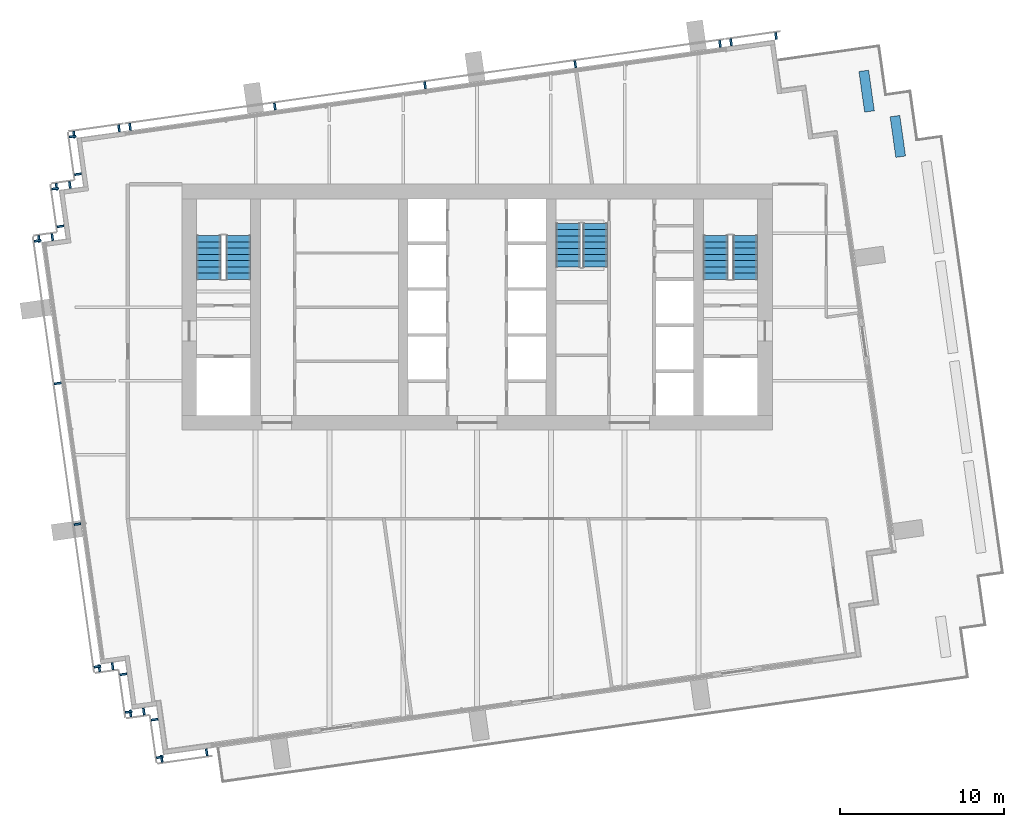
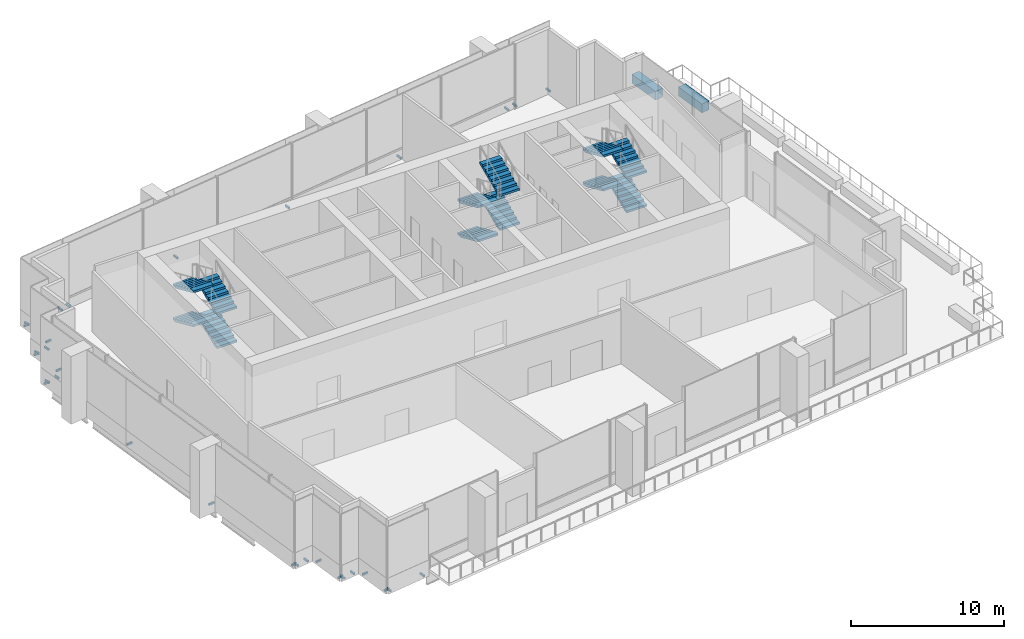
# One storey, part 9 of 14: 31 discrete accessories, 12 stair flights, 2 walls, 3 elements without a shape of their own.
"""IFC4 building model written with IfcOpenShell, lengths in metres."""

from ifc_helpers import new_model, si_unit, direction, frame, frame_2d, origin, origin_2d, place, context, subcontext, project, spatial, polyline, rectangle, outline, extrude, material, layer, layer_set, type_object, element, aggregate, save


model = new_model("IFC4")

# Units and contexts
model_context = context("Model", 3, precision=1e-05, world=origin(), true_north=direction((0.0, 1.0)))
body_context = subcontext(model_context, "Body", "Model", "MODEL_VIEW")
ifc_project = project(units=[si_unit("LENGTHUNIT", "METRE"), si_unit("AREAUNIT", "SQUARE_METRE"), si_unit("VOLUMEUNIT", "CUBIC_METRE"), si_unit("PLANEANGLEUNIT", "RADIAN"), si_unit("MASSUNIT", "GRAM", prefix="KILO")], contexts=[model_context])

# Site, building, storey
site_placement = place(None, origin())
site = spatial("IfcSite", under=ifc_project, at=site_placement, CompositionType="ELEMENT")
building_placement = place(site_placement, origin())
building = spatial("IfcBuilding", under=site, at=building_placement, Name="Rattan Terrace Tower", CompositionType="ELEMENT")
storey_placement = place(building_placement, frame((0.0, 0.0, 249.699951171875)))
storey = spatial("IfcBuildingStorey", under=building, at=storey_placement, Name="L57", CompositionType="ELEMENT", Elevation=249.699951171875)

# Walls
ifc_material_1 = material(Name="Precast concrete C30/37", Category="concrete")
ifc_layer = layer(ifc_material_1, 0.60009765625)
ifc_layer_set = layer_set([ifc_layer], Name="Facade Planter Wall 600")
wall_type = type_object("IfcWallType", Name="Facade Planter Wall 600", PredefinedType="SOLIDWALL", material=ifc_layer_set)
for number, where, z_axis, x_axis, name in (
    (1, (23.575927734375, 14.407958984375, 0.0), (0.0, 0.0, 1.0), (0.139233886918, -0.99025952393, 0.0), "PLANTER bed L57-1"),
    (2, (25.47900390625, 11.64599609375, 0.0), (0.0, 0.0, 1.0), (0.13913813834, -0.990272981788, 0.0), "PLANTER bed L57-2"),
):
    element("IfcWall", number, at=place(storey_placement, frame(where, z_axis=z_axis, x_axis=x_axis)), inside=storey, type_object=wall_type, Name=name, PredefinedType="SOLIDWALL", context=body_context, shape_type="SweptSolid", body=[
        extrude(rectangle(XDim=2.50048828125, YDim=0.60009765625, at=frame_2d((1.250244140625, 0.0))), origin(), (0.0, 0.0, 1.0), 0.699951171875),
    ])

# Stair, stair flights
ifc_material_2 = material(Name="Concrete C40/50", Category="concrete")
stair_type = type_object("IfcStairType", Name="Core exit stair 1500", PredefinedType="HALF_TURN_STAIR", material=ifc_material_2)
stair_1_placement = place(storey_placement, origin())
stair_1 = element("IfcStair", 3, at=stair_1_placement, inside=storey, type_object=stair_type, Name="L57 exit stair 1", PredefinedType="HALF_TURN_STAIR")
ifc_material_3 = material(Name="Concrete C40/50", Category="concrete")
stair_flight_type = type_object("IfcStairFlightType", Name="Core exit stair flight 1500", PredefinedType="STRAIGHT", material=ifc_material_3)
stair_flight_1_placement = place(storey_placement, frame((-14.550048828125, 1.699951171875, 0.0), z_axis=(0.0, 0.0, 1.0), x_axis=(0.0, 1.0, 0.0)))
stair_flight_1 = element("IfcStairFlight", 4, at=stair_flight_1_placement, type_object=stair_flight_type, Name="S1 flight 1", NumberOfRisers=8, NumberOfTreads=7, PredefinedType="STRAIGHT", RiserHeight=0.16875, TreadLength=0.38, context=body_context, shape_type="SweptSolid", body=[
    extrude(outline(polyline([(0.0, 0.0), (0.0, 0.168701171875), (0.3798828125, 0.168701171875), (0.3798828125, 0.33740234375), (0.760009765625, 0.33740234375), (0.760009765625, 0.50634765625), (1.139892578125, 0.50634765625), (1.139892578125, 0.675048828125), (1.52001953125, 0.675048828125), (1.52001953125, 0.84375), (1.89990234375, 0.84375), (1.89990234375, 1.012451171875), (2.280029296875, 1.012451171875), (2.280029296875, 1.18115234375), (2.659912109375, 1.18115234375), (2.659912109375, 1.35009765625), (2.659912109375, 1.017333984375), (0.369384765625, 0.0), (0.0, 0.0)])), frame((0.0, 0.75, 0.0), z_axis=(0.0, -1.0, 0.0), x_axis=(1.0, 0.0, 0.0)), (0.0, 0.0, 1.0), 1.5),
])
stair_flight_2_placement = place(storey_placement, frame((-16.35009765625, 4.360107421875, 1.35009765625), z_axis=(0.0, 0.0, 1.0), x_axis=(0.0, -1.0, 0.0)))
stair_flight_2 = element("IfcStairFlight", 5, at=stair_flight_2_placement, type_object=stair_flight_type, Name="S1 flight 2", NumberOfRisers=8, NumberOfTreads=7, PredefinedType="STRAIGHT", RiserHeight=0.16875, TreadLength=0.38, context=body_context, shape_type="SweptSolid", body=[
    extrude(outline(polyline([(0.0, 0.0), (0.0, 0.168701171875), (0.3798828125, 0.168701171875), (0.3798828125, 0.33740234375), (0.760009765625, 0.33740234375), (0.760009765625, 0.50634765625), (1.139892578125, 0.50634765625), (1.139892578125, 0.675048828125), (1.52001953125, 0.675048828125), (1.52001953125, 0.84375), (1.89990234375, 0.84375), (1.89990234375, 1.012451171875), (2.280029296875, 1.012451171875), (2.280029296875, 1.18115234375), (2.659912109375, 1.18115234375), (2.659912109375, 1.35009765625), (2.659912109375, 1.017333984375), (0.369384765625, 0.0), (0.0, 0.0)])), frame((0.0, 0.75, 0.0), z_axis=(0.0, -1.0, 0.0), x_axis=(1.0, 0.0, 0.0)), (0.0, 0.0, 1.0), 1.5),
])
stair_flight_3_placement = place(storey_placement, frame((-14.550048828125, 1.699951171875, 2.699951171875), z_axis=(0.0, 0.0, 1.0), x_axis=(0.0, 1.0, 0.0)))
stair_flight_3 = element("IfcStairFlight", 6, at=stair_flight_3_placement, type_object=stair_flight_type, Name="S1 flight 3", NumberOfRisers=8, NumberOfTreads=7, PredefinedType="STRAIGHT", RiserHeight=0.16875, TreadLength=0.38, context=body_context, shape_type="SweptSolid", body=[
    extrude(outline(polyline([(0.0, 0.0), (0.0, 0.168701171875), (0.3798828125, 0.168701171875), (0.3798828125, 0.33740234375), (0.760009765625, 0.33740234375), (0.760009765625, 0.50634765625), (1.139892578125, 0.50634765625), (1.139892578125, 0.675048828125), (1.52001953125, 0.675048828125), (1.52001953125, 0.84375), (1.89990234375, 0.84375), (1.89990234375, 1.012451171875), (2.280029296875, 1.012451171875), (2.280029296875, 1.18115234375), (2.659912109375, 1.18115234375), (2.659912109375, 1.35009765625), (2.659912109375, 1.017333984375), (0.369384765625, 0.0), (0.0, 0.0)])), frame((0.0, 0.75, 0.0), z_axis=(0.0, -1.0, 0.0), x_axis=(1.0, 0.0, 0.0)), (0.0, 0.0, 1.0), 1.5),
])
stair_flight_4_placement = place(storey_placement, frame((-16.35009765625, 4.360107421875, 4.050048828125), z_axis=(0.0, 0.0, 1.0), x_axis=(0.0, -1.0, 0.0)))
stair_flight_4 = element("IfcStairFlight", 7, at=stair_flight_4_placement, type_object=stair_flight_type, Name="S1 flight 4", NumberOfRisers=8, NumberOfTreads=7, PredefinedType="STRAIGHT", RiserHeight=0.16875, TreadLength=0.38, context=body_context, shape_type="SweptSolid", body=[
    extrude(outline(polyline([(0.0, 0.0), (0.0, 0.168701171875), (0.3798828125, 0.168701171875), (0.3798828125, 0.33740234375), (0.760009765625, 0.33740234375), (0.760009765625, 0.50634765625), (1.139892578125, 0.50634765625), (1.139892578125, 0.675048828125), (1.52001953125, 0.675048828125), (1.52001953125, 0.84375), (1.89990234375, 0.84375), (1.89990234375, 1.012451171875), (2.280029296875, 1.012451171875), (2.280029296875, 1.18115234375), (2.659912109375, 1.18115234375), (2.659912109375, 1.35009765625), (2.659912109375, 1.017333984375), (0.369384765625, 0.0), (0.0, 0.0)])), frame((0.0, 0.75, 0.0), z_axis=(0.0, -1.0, 0.0), x_axis=(1.0, 0.0, 0.0)), (0.0, 0.0, 1.0), 1.5),
])
aggregate(stair_1, [stair_flight_1, stair_flight_2, stair_flight_3, stair_flight_4])

stair_2_placement = place(storey_placement, origin())
stair_2 = element("IfcStair", 8, at=stair_2_placement, inside=storey, type_object=stair_type, Name="L57 exit stair 2", PredefinedType="HALF_TURN_STAIR")
stair_flight_5_placement = place(storey_placement, frame((16.35009765625, 1.699951171875, 0.0), z_axis=(0.0, 0.0, 1.0), x_axis=(0.0, 1.0, 0.0)))
stair_flight_5 = element("IfcStairFlight", 9, at=stair_flight_5_placement, type_object=stair_flight_type, Name="S2 flight 1", NumberOfRisers=8, NumberOfTreads=7, PredefinedType="STRAIGHT", RiserHeight=0.16875, TreadLength=0.38, context=body_context, shape_type="SweptSolid", body=[
    extrude(outline(polyline([(0.0, 0.0), (0.0, 0.168701171875), (0.3798828125, 0.168701171875), (0.3798828125, 0.33740234375), (0.760009765625, 0.33740234375), (0.760009765625, 0.50634765625), (1.139892578125, 0.50634765625), (1.139892578125, 0.675048828125), (1.52001953125, 0.675048828125), (1.52001953125, 0.84375), (1.89990234375, 0.84375), (1.89990234375, 1.012451171875), (2.280029296875, 1.012451171875), (2.280029296875, 1.18115234375), (2.659912109375, 1.18115234375), (2.659912109375, 1.35009765625), (2.659912109375, 1.017333984375), (0.369384765625, 0.0), (0.0, 0.0)])), frame((0.0, 0.75, 0.0), z_axis=(0.0, -1.0, 0.0), x_axis=(1.0, 0.0, 0.0)), (0.0, 0.0, 1.0), 1.5),
])
stair_flight_6_placement = place(storey_placement, frame((14.550048828125, 4.360107421875, 1.35009765625), z_axis=(0.0, 0.0, 1.0), x_axis=(0.0, -1.0, 0.0)))
stair_flight_6 = element("IfcStairFlight", 10, at=stair_flight_6_placement, type_object=stair_flight_type, Name="S2 flight 2", NumberOfRisers=8, NumberOfTreads=7, PredefinedType="STRAIGHT", RiserHeight=0.16875, TreadLength=0.38, context=body_context, shape_type="SweptSolid", body=[
    extrude(outline(polyline([(0.0, 0.0), (0.0, 0.168701171875), (0.3798828125, 0.168701171875), (0.3798828125, 0.33740234375), (0.760009765625, 0.33740234375), (0.760009765625, 0.50634765625), (1.139892578125, 0.50634765625), (1.139892578125, 0.675048828125), (1.52001953125, 0.675048828125), (1.52001953125, 0.84375), (1.89990234375, 0.84375), (1.89990234375, 1.012451171875), (2.280029296875, 1.012451171875), (2.280029296875, 1.18115234375), (2.659912109375, 1.18115234375), (2.659912109375, 1.35009765625), (2.659912109375, 1.017333984375), (0.369384765625, 0.0), (0.0, 0.0)])), frame((0.0, 0.75, 0.0), z_axis=(0.0, -1.0, 0.0), x_axis=(1.0, 0.0, 0.0)), (0.0, 0.0, 1.0), 1.5),
])
stair_flight_7_placement = place(storey_placement, frame((16.35009765625, 1.699951171875, 2.699951171875), z_axis=(0.0, 0.0, 1.0), x_axis=(0.0, 1.0, 0.0)))
stair_flight_7 = element("IfcStairFlight", 11, at=stair_flight_7_placement, type_object=stair_flight_type, Name="S2 flight 3", NumberOfRisers=8, NumberOfTreads=7, PredefinedType="STRAIGHT", RiserHeight=0.16875, TreadLength=0.38, context=body_context, shape_type="SweptSolid", body=[
    extrude(outline(polyline([(0.0, 0.0), (0.0, 0.168701171875), (0.3798828125, 0.168701171875), (0.3798828125, 0.33740234375), (0.760009765625, 0.33740234375), (0.760009765625, 0.50634765625), (1.139892578125, 0.50634765625), (1.139892578125, 0.675048828125), (1.52001953125, 0.675048828125), (1.52001953125, 0.84375), (1.89990234375, 0.84375), (1.89990234375, 1.012451171875), (2.280029296875, 1.012451171875), (2.280029296875, 1.18115234375), (2.659912109375, 1.18115234375), (2.659912109375, 1.35009765625), (2.659912109375, 1.017333984375), (0.369384765625, 0.0), (0.0, 0.0)])), frame((0.0, 0.75, 0.0), z_axis=(0.0, -1.0, 0.0), x_axis=(1.0, 0.0, 0.0)), (0.0, 0.0, 1.0), 1.5),
])
stair_flight_8_placement = place(storey_placement, frame((14.550048828125, 4.360107421875, 4.050048828125), z_axis=(0.0, 0.0, 1.0), x_axis=(0.0, -1.0, 0.0)))
stair_flight_8 = element("IfcStairFlight", 12, at=stair_flight_8_placement, type_object=stair_flight_type, Name="S2 flight 4", NumberOfRisers=8, NumberOfTreads=7, PredefinedType="STRAIGHT", RiserHeight=0.16875, TreadLength=0.38, context=body_context, shape_type="SweptSolid", body=[
    extrude(outline(polyline([(0.0, 0.0), (0.0, 0.168701171875), (0.3798828125, 0.168701171875), (0.3798828125, 0.33740234375), (0.760009765625, 0.33740234375), (0.760009765625, 0.50634765625), (1.139892578125, 0.50634765625), (1.139892578125, 0.675048828125), (1.52001953125, 0.675048828125), (1.52001953125, 0.84375), (1.89990234375, 0.84375), (1.89990234375, 1.012451171875), (2.280029296875, 1.012451171875), (2.280029296875, 1.18115234375), (2.659912109375, 1.18115234375), (2.659912109375, 1.35009765625), (2.659912109375, 1.017333984375), (0.369384765625, 0.0), (0.0, 0.0)])), frame((0.0, 0.75, 0.0), z_axis=(0.0, -1.0, 0.0), x_axis=(1.0, 0.0, 0.0)), (0.0, 0.0, 1.0), 1.5),
])
aggregate(stair_2, [stair_flight_5, stair_flight_6, stair_flight_7, stair_flight_8])

stair_3_placement = place(storey_placement, origin())
stair_3 = element("IfcStair", 13, at=stair_3_placement, inside=storey, type_object=stair_type, Name="L57 exit stair 3", PredefinedType="HALF_TURN_STAIR")
stair_flight_9_placement = place(storey_placement, frame((5.550048828125, 5.10009765625, 0.0), z_axis=(0.0, 0.0, 1.0), x_axis=(0.0, -1.0, 0.0)))
stair_flight_9 = element("IfcStairFlight", 14, at=stair_flight_9_placement, type_object=stair_flight_type, Name="S3 flight 1", NumberOfRisers=8, NumberOfTreads=7, PredefinedType="STRAIGHT", RiserHeight=0.16875, TreadLength=0.38, context=body_context, shape_type="SweptSolid", body=[
    extrude(outline(polyline([(0.0, 0.0), (0.0, 0.168701171875), (0.3798828125, 0.168701171875), (0.3798828125, 0.33740234375), (0.760009765625, 0.33740234375), (0.760009765625, 0.50634765625), (1.139892578125, 0.50634765625), (1.139892578125, 0.675048828125), (1.52001953125, 0.675048828125), (1.52001953125, 0.84375), (1.89990234375, 0.84375), (1.89990234375, 1.012451171875), (2.280029296875, 1.012451171875), (2.280029296875, 1.18115234375), (2.659912109375, 1.18115234375), (2.659912109375, 1.35009765625), (2.659912109375, 1.017333984375), (0.369384765625, 0.0), (0.0, 0.0)])), frame((0.0, 0.75, 0.0), z_axis=(0.0, -1.0, 0.0), x_axis=(1.0, 0.0, 0.0)), (0.0, 0.0, 1.0), 1.5),
])
stair_flight_10_placement = place(storey_placement, frame((7.199951171875, 2.43994140625, 1.35009765625), z_axis=(0.0, 0.0, 1.0), x_axis=(0.0, 1.0, 0.0)))
stair_flight_10 = element("IfcStairFlight", 15, at=stair_flight_10_placement, type_object=stair_flight_type, Name="S3 flight 2", NumberOfRisers=8, NumberOfTreads=7, PredefinedType="STRAIGHT", RiserHeight=0.16875, TreadLength=0.38, context=body_context, shape_type="SweptSolid", body=[
    extrude(outline(polyline([(0.0, 0.0), (0.0, 0.168701171875), (0.3798828125, 0.168701171875), (0.3798828125, 0.33740234375), (0.760009765625, 0.33740234375), (0.760009765625, 0.50634765625), (1.139892578125, 0.50634765625), (1.139892578125, 0.675048828125), (1.52001953125, 0.675048828125), (1.52001953125, 0.84375), (1.89990234375, 0.84375), (1.89990234375, 1.012451171875), (2.280029296875, 1.012451171875), (2.280029296875, 1.18115234375), (2.659912109375, 1.18115234375), (2.659912109375, 1.35009765625), (2.659912109375, 1.017333984375), (0.369384765625, 0.0), (0.0, 0.0)])), frame((0.0, 0.75, 0.0), z_axis=(0.0, -1.0, 0.0), x_axis=(1.0, 0.0, 0.0)), (0.0, 0.0, 1.0), 1.5),
])
stair_flight_11_placement = place(storey_placement, frame((5.550048828125, 5.10009765625, 2.699951171875), z_axis=(0.0, 0.0, 1.0), x_axis=(0.0, -1.0, 0.0)))
stair_flight_11 = element("IfcStairFlight", 16, at=stair_flight_11_placement, type_object=stair_flight_type, Name="S3 flight 3", NumberOfRisers=8, NumberOfTreads=7, PredefinedType="STRAIGHT", RiserHeight=0.16875, TreadLength=0.38, context=body_context, shape_type="SweptSolid", body=[
    extrude(outline(polyline([(0.0, 0.0), (0.0, 0.168701171875), (0.3798828125, 0.168701171875), (0.3798828125, 0.33740234375), (0.760009765625, 0.33740234375), (0.760009765625, 0.50634765625), (1.139892578125, 0.50634765625), (1.139892578125, 0.675048828125), (1.52001953125, 0.675048828125), (1.52001953125, 0.84375), (1.89990234375, 0.84375), (1.89990234375, 1.012451171875), (2.280029296875, 1.012451171875), (2.280029296875, 1.18115234375), (2.659912109375, 1.18115234375), (2.659912109375, 1.35009765625), (2.659912109375, 1.017333984375), (0.369384765625, 0.0), (0.0, 0.0)])), frame((0.0, 0.75, 0.0), z_axis=(0.0, -1.0, 0.0), x_axis=(1.0, 0.0, 0.0)), (0.0, 0.0, 1.0), 1.5),
])
stair_flight_12_placement = place(storey_placement, frame((7.199951171875, 2.43994140625, 4.050048828125), z_axis=(0.0, 0.0, 1.0), x_axis=(0.0, 1.0, 0.0)))
stair_flight_12 = element("IfcStairFlight", 17, at=stair_flight_12_placement, type_object=stair_flight_type, Name="S3 flight 4", NumberOfRisers=8, NumberOfTreads=7, PredefinedType="STRAIGHT", RiserHeight=0.16875, TreadLength=0.38, context=body_context, shape_type="SweptSolid", body=[
    extrude(outline(polyline([(0.0, 0.0), (0.0, 0.168701171875), (0.3798828125, 0.168701171875), (0.3798828125, 0.33740234375), (0.760009765625, 0.33740234375), (0.760009765625, 0.50634765625), (1.139892578125, 0.50634765625), (1.139892578125, 0.675048828125), (1.52001953125, 0.675048828125), (1.52001953125, 0.84375), (1.89990234375, 0.84375), (1.89990234375, 1.012451171875), (2.280029296875, 1.012451171875), (2.280029296875, 1.18115234375), (2.659912109375, 1.18115234375), (2.659912109375, 1.35009765625), (2.659912109375, 1.017333984375), (0.369384765625, 0.0), (0.0, 0.0)])), frame((0.0, 0.75, 0.0), z_axis=(0.0, -1.0, 0.0), x_axis=(1.0, 0.0, 0.0)), (0.0, 0.0, 1.0), 1.5),
])
aggregate(stair_3, [stair_flight_9, stair_flight_10, stair_flight_11, stair_flight_12])

# Discrete accessories
for number, where, z_axis, x_axis, name in (
    (18, (18.2255859375, 16.5302734375, -0.169921875), (0.0, 0.0, 1.0), (-0.990286729519, -0.139040257974, 0.0), "Panel bracket L57-1"),
    (19, (15.4833984375, 16.145263671875, -0.169921875), (0.0, 0.0, 1.0), (-0.990286729519, -0.139040257974, 0.0), "Panel bracket L57-2"),
    (20, (14.81005859375, 16.050537109375, -0.169921875), (0.0, 0.0, 1.0), (-0.990265894013, -0.139188574079, 0.0), "Panel bracket L57-3"),
    (21, (5.98779296875, 14.810546875, -0.169921875), (0.0, 0.0, 1.0), (-0.990265894013, -0.139188574079, 0.0), "Panel bracket L57-4"),
    (22, (-3.171142578125, 13.523193359375, -0.169921875), (0.0, 0.0, 1.0), (-0.990265894013, -0.139188574079, 0.0), "Panel bracket L57-5"),
    (23, (-12.330078125, 12.23583984375, -0.169921875), (0.0, 0.0, 1.0), (-0.990265894013, -0.139188574079, 0.0), "Panel bracket L57-6"),
    (24, (-21.156494140625, 10.995361328125, -0.169921875), (0.0, 0.0, 1.0), (-0.990265894013, -0.139188574079, 0.0), "Panel bracket L57-7"),
    (25, (-21.829833984375, 10.900634765625, -0.169921875), (0.0, 0.0, 1.0), (-0.990293172258, -0.138994363123, 0.0), "Panel bracket L57-8"),
    (26, (-24.5732421875, 10.515625, -0.169921875), (0.0, 0.0, 1.0), (-0.990293172258, -0.138994363123, 0.0), "Panel bracket L57-9"),
    (27, (-24.658203125, 10.40283203125, -0.169921875), (0.0, 0.0, 1.0), (0.138994363123, -0.990293172258, 0.0), "Panel bracket L57-10"),
    (28, (-24.335693359375, 8.10498046875, -0.169921875), (0.0, 0.0, 1.0), (0.138994363123, -0.990293172258, 0.0), "Panel bracket L57-11"),
    (29, (-24.829345703125, 7.449951171875, -0.169921875), (0.0, 0.0, 1.0), (-0.990240767803, -0.139367219175, 0.0), "Panel bracket L57-12"),
    (30, (-25.64111328125, 7.335693359375, -0.169921875), (0.0, 0.0, 1.0), (-0.990240767803, -0.139367219175, 0.0), "Panel bracket L57-13"),
    (31, (-25.726318359375, 7.22265625, -0.169921875), (0.0, 0.0, 1.0), (0.139367219175, -0.990240767803, 0.0), "Panel bracket L57-14"),
    (32, (-25.403076171875, 4.926025390625, -0.169921875), (0.0, 0.0, 1.0), (0.139367219175, -0.990240767803, 0.0), "Panel bracket L57-15"),
    (33, (-25.896484375, 4.27099609375, -0.169921875), (0.0, 0.0, 1.0), (-0.99025370695, -0.139275252184, 0.0), "Panel bracket L57-16"),
    (34, (-26.708984375, 4.15673828125, -0.169921875), (0.0, 0.0, 1.0), (-0.99025370695, -0.139275252184, 0.0), "Panel bracket L57-17"),
    (35, (-26.794189453125, 4.043701171875, -0.169921875), (0.0, 0.0, 1.0), (0.139191775431, -0.990265444036, 0.0), "Panel bracket L57-18"),
    (36, (-25.572509765625, -4.64794921875, -0.169921875), (0.0, 0.0, 1.0), (0.139191775431, -0.990265444036, 0.0), "Panel bracket L57-19"),
    (37, (-24.3662109375, -13.23046875, -0.169921875), (0.0, 0.0, 1.0), (0.139191775431, -0.990265444036, 0.0), "Panel bracket L57-20"),
    (38, (-23.14453125, -21.921142578125, -0.169921875), (0.0, 0.0, 1.0), (0.139191775431, -0.990265444036, 0.0), "Panel bracket L57-21"),
    (39, (-23.03173828125, -22.00634765625, -0.169921875), (0.0, 0.0, 1.0), (0.990240767803, 0.139367219175, 0.0), "Panel bracket L57-22"),
    (40, (-22.219970703125, -21.89208984375, -0.169921875), (0.0, 0.0, 1.0), (0.990240767803, 0.139367219175, 0.0), "Panel bracket L57-23"),
    (41, (-21.56494140625, -22.385498046875, -0.169921875), (0.0, 0.0, 1.0), (0.139321220646, -0.990247240581, 0.0), "Panel bracket L57-24"),
    (42, (-21.24169921875, -24.682861328125, -0.169921875), (0.0, 0.0, 1.0), (0.139321220646, -0.990247240581, 0.0), "Panel bracket L57-25"),
    (43, (-21.12841796875, -24.768310546875, -0.169921875), (0.0, 0.0, 1.0), (0.990332587523, 0.138713251317, 0.0), "Panel bracket L57-26"),
    (44, (-20.31689453125, -24.654541015625, -0.169921875), (0.0, 0.0, 1.0), (0.990332587523, 0.138713251317, 0.0), "Panel bracket L57-27"),
    (45, (-19.661865234375, -25.148193359375, -0.169921875), (0.0, 0.0, 1.0), (0.139367219175, -0.990240767803, 0.0), "Panel bracket L57-28"),
    (46, (-19.338623046875, -27.445068359375, -0.169921875), (0.0, 0.0, 1.0), (0.139367219175, -0.990240767803, 0.0), "Panel bracket L57-29"),
    (47, (-19.2255859375, -27.5302734375, -0.169921875), (0.0, 0.0, 1.0), (0.990286729519, 0.139040257974, 0.0), "Panel bracket L57-30"),
    (48, (-16.4833984375, -27.145263671875, -0.169921875), (0.0, 0.0, 1.0), (0.990286729519, 0.139040257974, 0.0), "Panel bracket L57-31"),
):
    element("IfcDiscreteAccessory", number, at=place(storey_placement, frame(where, z_axis=z_axis, x_axis=x_axis)), inside=storey, Name=name, PredefinedType="BRACKET", context=body_context, shape_type="SweptSolid", body=[
        extrude(rectangle(XDim=0.1201171875, YDim=0.419921875, at=origin_2d()), origin(), (0.0, 0.0, 1.0), 0.139892578125),
    ])

save(model, "model.ifc")
